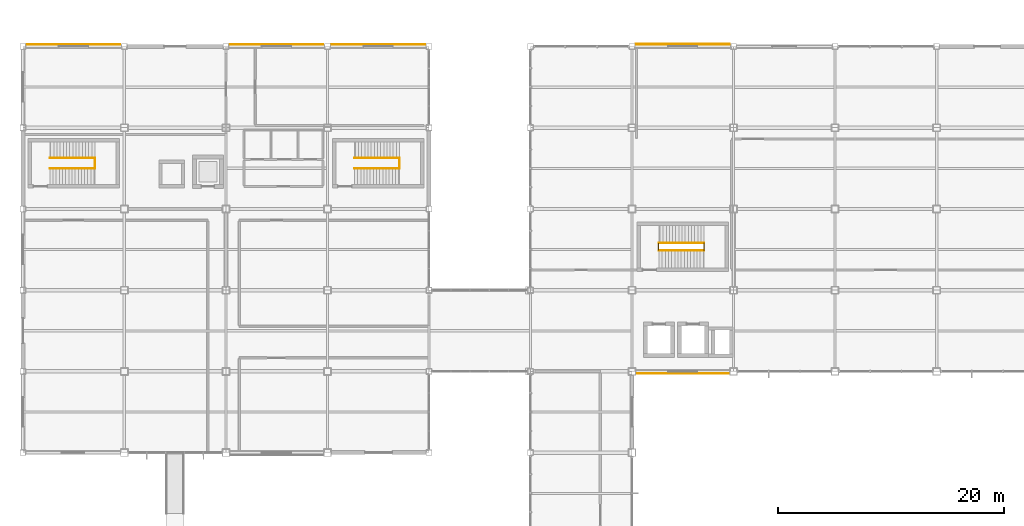
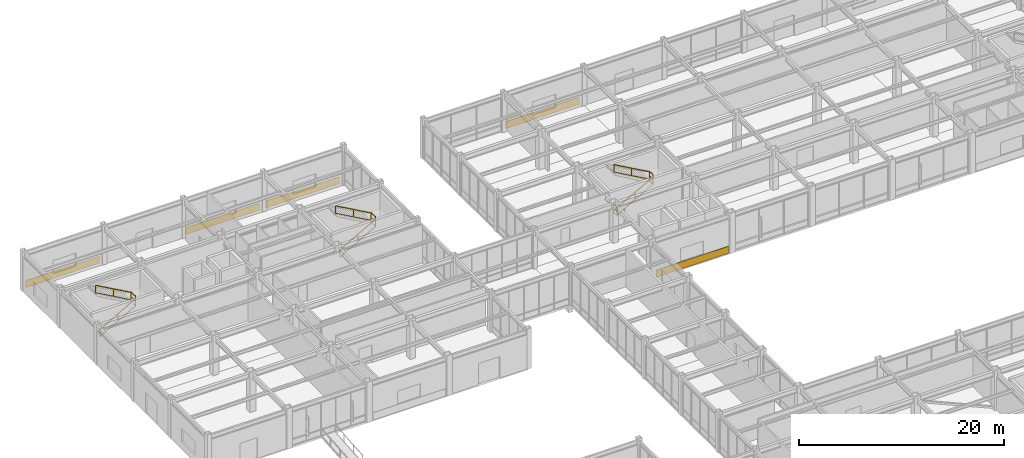
# One storey, part 108 of 112: 10 railings, 5 coverings.
"""IFC4 building model written with IfcOpenShell, lengths in metres."""

from ifc_helpers import new_model, si_unit, direction, frame, origin, origin_2d, place, context, subcontext, project, spatial, rectangle, extrude, material, layer, layer_set, type_object, element, save


model = new_model("IFC4")

# Units and contexts
model_context = context("Model", 3, precision=1e-05, world=origin(), true_north=direction((0.0, 1.0)))
body_context = subcontext(model_context, "Body", "Model", "MODEL_VIEW")
ifc_project = project(units=[si_unit("LENGTHUNIT", "METRE"), si_unit("AREAUNIT", "SQUARE_METRE"), si_unit("VOLUMEUNIT", "CUBIC_METRE"), si_unit("PLANEANGLEUNIT", "RADIAN"), si_unit("MASSUNIT", "GRAM", prefix="KILO")], contexts=[model_context])

# Site, building, storey
site_placement = place(None, origin())
site = spatial("IfcSite", under=ifc_project, at=site_placement, CompositionType="ELEMENT")
building_placement = place(site_placement, origin())
building = spatial("IfcBuilding", under=site, at=building_placement, Name="Kazanami Central Library", CompositionType="ELEMENT")
storey_placement = place(building_placement, origin())
storey = spatial("IfcBuildingStorey", under=building, at=storey_placement, Name="L01", CompositionType="ELEMENT", Elevation=0.0)

# Coverings
ifc_material_1 = material(Name="Honed Inada Granite", Category="masonry")
ifc_layer_1 = layer(ifc_material_1, 0.030029296875, Name="Honed Inada Granite")
ifc_layer_set_1 = layer_set([ifc_layer_1], Name="Honed Inada Granite")
covering_type_1 = type_object("IfcCoveringType", Name="COV-CLD-30", PredefinedType="CLADDING", material=ifc_layer_set_1)
for number, where, z_axis, x_axis, name in (
    (1, (4.5, 93.7900390625, 0.02490234375), (0.0, 0.0, 1.0), (-1.0, 0.0, 0.0), "Honed Inada Granite Plinth CLD-30 N-O-00"),
    (2, (22.5, 93.7900390625, 0.02490234375), (0.0, 0.0, 1.0), (-1.0, 0.0, 0.0), "Honed Inada Granite Plinth CLD-30 N-O-02"),
    (3, (31.5, 93.7900390625, 0.02490234375), (0.0, 0.0, 1.0), (-1.0, 0.0, 0.0), "Honed Inada Granite Plinth CLD-30 N-O-03"),
):
    element("IfcCovering", number, at=place(storey_placement, frame(where, z_axis=z_axis, x_axis=x_axis)), inside=storey, type_object=covering_type_1, Name=name, PredefinedType="CLADDING", context=body_context, shape_type="SweptSolid", body=[
        extrude(rectangle(XDim=8.300048828125, YDim=0.030029296875, at=origin_2d()), origin(), (0.0, 0.0, 1.0), 0.85009765625),
    ])
ifc_layer_2 = layer(ifc_material_1, 0.0400390625, Name="Honed Inada Granite")
ifc_layer_set_2 = layer_set([ifc_layer_2], Name="Honed Inada Granite")
covering_type_2 = type_object("IfcCoveringType", Name="COV-CLD-40", PredefinedType="CLADDING", material=ifc_layer_set_2)
covering_1_placement = place(storey_placement, frame((58.5, 64.60498046875, 0.02490234375), z_axis=(0.0, 0.0, 1.0), x_axis=(1.0, 0.0, 0.0)))
element("IfcCovering", 4, at=covering_1_placement, inside=storey, type_object=covering_type_2, Name="Honed Inada Granite Plinth CLD-40 S-K-06", PredefinedType="CLADDING", context=body_context, shape_type="SweptSolid", body=[
    extrude(rectangle(XDim=8.14990234375, YDim=0.0400390625, at=origin_2d()), origin(), (0.0, 0.0, 1.0), 0.85009765625),
])
ifc_layer_3 = layer(ifc_material_1, 0.050048828125, Name="Honed Inada Granite")
ifc_layer_set_3 = layer_set([ifc_layer_3], Name="Honed Inada Granite")
covering_type_3 = type_object("IfcCoveringType", Name="COV-CLD-50", PredefinedType="CLADDING", material=ifc_layer_set_3)
covering_2_placement = place(storey_placement, frame((58.5, 93.800048828125, 0.02490234375), z_axis=(0.0, 0.0, 1.0), x_axis=(-1.0, 0.0, 0.0)))
element("IfcCovering", 5, at=covering_2_placement, inside=storey, type_object=covering_type_3, Name="Honed Inada Granite Plinth CLD-50 N-O-06", PredefinedType="CLADDING", context=body_context, shape_type="SweptSolid", body=[
    extrude(rectangle(XDim=8.300048828125, YDim=0.050048828125, at=origin_2d()), origin(), (0.0, 0.0, 1.0), 0.85009765625),
])

# Railings
ifc_material_2 = material(Name="Stainless Steel SUS304", Category="steel")
railing_type_1 = type_object("IfcRailingType", Name="RAL-GR-S1", PredefinedType="GUARDRAIL", material=ifc_material_2)
railing_1_placement = place(storey_placement, frame((56.360107421875, 75.570068359375, 0.0)))
element("IfcRailing", 6, at=railing_1_placement, inside=storey, type_object=railing_type_1, Name="Stair Well Guard ST-03 L01", PredefinedType="GUARDRAIL", context=body_context, shape_type="SweptSolid", body=[
    extrude(rectangle(XDim=0.0439453125, YDim=0.0439453125, at=origin_2d()), frame((0.0, 0.02587890625, 1.1279296875), z_axis=(0.0, 1.0, 0.0), x_axis=(-1.0, 0.0, 0.0)), (0.0, 0.0, 1.0), 0.5078125),
    extrude(rectangle(XDim=0.02392578125, YDim=0.02392578125, at=origin_2d()), frame((0.0, 0.02587890625, 0.015869140625), z_axis=(0.0, 1.0, 0.0), x_axis=(-1.0, 0.0, 0.0)), (0.0, 0.0, 1.0), 0.5078125),
    extrude(rectangle(XDim=0.02392578125, YDim=0.02392578125, at=origin_2d()), frame((0.0, 0.02587890625, 0.574951171875), z_axis=(0.0, 1.0, 0.0), x_axis=(-1.0, 0.0, 0.0)), (0.0, 0.0, 1.0), 0.5078125),
    extrude(rectangle(XDim=0.035888671875, YDim=0.035888671875, at=origin_2d()), origin(), (0.0, 0.0, 1.0), 1.10205078125),
    extrude(rectangle(XDim=0.035888671875, YDim=0.035888671875, at=origin_2d()), frame((0.0, 0.559814453125, 0.0)), (0.0, 0.0, 1.0), 1.10205078125),
])
railing_2_placement = place(storey_placement, frame((60.387939453125, 75.52001953125, 2.39990234375)))
element("IfcRailing", 7, at=railing_2_placement, inside=storey, type_object=railing_type_1, Name="Half-Landing Well Guard ST-03 L01", PredefinedType="GUARDRAIL", context=body_context, shape_type="SweptSolid", body=[
    extrude(rectangle(XDim=0.0439453125, YDim=0.0439453125, at=origin_2d()), frame((0.0, 0.02587890625, 1.1279296875), z_axis=(0.0, 1.0, 0.0), x_axis=(-1.0, 0.0, 0.0)), (0.0, 0.0, 1.0), 0.60791015625),
    extrude(rectangle(XDim=0.02392578125, YDim=0.02392578125, at=origin_2d()), frame((0.0, 0.02587890625, 0.015869140625), z_axis=(0.0, 1.0, 0.0), x_axis=(-1.0, 0.0, 0.0)), (0.0, 0.0, 1.0), 0.60791015625),
    extrude(rectangle(XDim=0.02392578125, YDim=0.02392578125, at=origin_2d()), frame((0.0, 0.02587890625, 0.574951171875), z_axis=(0.0, 1.0, 0.0), x_axis=(-1.0, 0.0, 0.0)), (0.0, 0.0, 1.0), 0.60791015625),
    extrude(rectangle(XDim=0.035888671875, YDim=0.035888671875, at=origin_2d()), origin(), (0.0, 0.0, 1.0), 1.10205078125),
    extrude(rectangle(XDim=0.035888671875, YDim=0.035888671875, at=origin_2d()), frame((0.0, 0.659912109375, 0.0)), (0.0, 0.0, 1.0), 1.10205078125),
])
for number, where, name in (
    (8, (6.387939453125, 82.820068359375, 2.39990234375), "Half-Landing Well Guard ST-05 L01"),
    (9, (33.387939453125, 82.820068359375, 2.39990234375), "Half-Landing Well Guard ST-06 L01"),
):
    element("IfcRailing", number, at=place(storey_placement, frame(where)), inside=storey, type_object=railing_type_1, Name=name, PredefinedType="GUARDRAIL", context=body_context, shape_type="SweptSolid", body=[
        extrude(rectangle(XDim=0.0439453125, YDim=0.0439453125, at=origin_2d()), frame((0.0, 0.02587890625, 1.1279296875), z_axis=(0.0, 1.0, 0.0), x_axis=(-1.0, 0.0, 0.0)), (0.0, 0.0, 1.0), 0.807861328125),
        extrude(rectangle(XDim=0.02392578125, YDim=0.02392578125, at=origin_2d()), frame((0.0, 0.02587890625, 0.015869140625), z_axis=(0.0, 1.0, 0.0), x_axis=(-1.0, 0.0, 0.0)), (0.0, 0.0, 1.0), 0.807861328125),
        extrude(rectangle(XDim=0.02392578125, YDim=0.02392578125, at=origin_2d()), frame((0.0, 0.02587890625, 0.574951171875), z_axis=(0.0, 1.0, 0.0), x_axis=(-1.0, 0.0, 0.0)), (0.0, 0.0, 1.0), 0.807861328125),
        extrude(rectangle(XDim=0.035888671875, YDim=0.035888671875, at=origin_2d()), origin(), (0.0, 0.0, 1.0), 1.10205078125),
        extrude(rectangle(XDim=0.035888671875, YDim=0.035888671875, at=origin_2d()), frame((0.0, 0.85986328125, 0.0)), (0.0, 0.0, 1.0), 1.10205078125),
    ])
railing_type_2 = type_object("IfcRailingType", Name="RAL-HR-01", PredefinedType="HANDRAIL", material=ifc_material_2)
for number, where, name in (
    (10, (56.39404296875, 75.5, 0.159912109375), "Stair Handrail ST-03 Flight 1 (L01)"),
    (11, (2.39404296875, 82.800048828125, 0.159912109375), "Stair Handrail ST-05 Flight 1 (L01)"),
    (12, (29.39404296875, 82.800048828125, 0.159912109375), "Stair Handrail ST-06 Flight 1 (L01)"),
):
    element("IfcRailing", number, at=place(storey_placement, frame(where)), inside=storey, type_object=railing_type_2, Name=name, PredefinedType="HANDRAIL", context=body_context, shape_type="SweptSolid", body=[
        extrude(rectangle(XDim=0.0439453125, YDim=0.0439453125, at=origin_2d()), frame((0.022705078125, 0.0, 0.890625), z_axis=(0.872188536466, 0.0, 0.489169865033), x_axis=(0.0, 1.0, 0.0)), (0.0, 0.0, 1.0), 4.527099609375),
        extrude(rectangle(XDim=0.02392578125, YDim=0.02392578125, at=origin_2d()), frame((0.022705078125, 0.0, 0.028564453125), z_axis=(0.872188536466, 0.0, 0.489169865033), x_axis=(0.0, 1.0, 0.0)), (0.0, 0.0, 1.0), 4.527099609375),
        extrude(rectangle(XDim=0.035888671875, YDim=0.035888671875, at=origin_2d()), origin(), (0.0, 0.0, 1.0), 0.85205078125),
        extrude(rectangle(XDim=0.035888671875, YDim=0.035888671875, at=origin_2d()), frame((1.9970703125, 0.0, 1.1201171875)), (0.0, 0.0, 1.0), 0.85205078125),
        extrude(rectangle(XDim=0.035888671875, YDim=0.035888671875, at=origin_2d()), frame((3.993896484375, 0.0, 2.239990234375)), (0.0, 0.0, 1.0), 0.85205078125),
    ])
railing_type_3 = type_object("IfcRailingType", Name="RAL-HR-02", PredefinedType="HANDRAIL", material=ifc_material_2)
for number, where, name in (
    (13, (60.39404296875, 76.199951171875, 2.56005859375), "Stair Handrail ST-03 Flight 2 (L01)"),
    (14, (6.39404296875, 83.699951171875, 2.56005859375), "Stair Handrail ST-05 Flight 2 (L01)"),
    (15, (33.39404296875, 83.699951171875, 2.56005859375), "Stair Handrail ST-06 Flight 2 (L01)"),
):
    element("IfcRailing", number, at=place(storey_placement, frame(where)), inside=storey, type_object=railing_type_3, Name=name, PredefinedType="HANDRAIL", context=body_context, shape_type="SweptSolid", body=[
        extrude(rectangle(XDim=0.0439453125, YDim=0.0439453125, at=origin_2d()), frame((-0.022705078125, 0.0, 0.91064453125), z_axis=(-0.872201293295, 0.0, 0.489147118947), x_axis=(0.0, -1.0, 0.0)), (0.0, 0.0, 1.0), 4.52734375),
        extrude(rectangle(XDim=0.02392578125, YDim=0.02392578125, at=origin_2d()), frame((-0.022705078125, 0.0, 0.028564453125), z_axis=(-0.872201293295, 0.0, 0.489147118947), x_axis=(0.0, -1.0, 0.0)), (0.0, 0.0, 1.0), 4.52734375),
        extrude(rectangle(XDim=0.035888671875, YDim=0.035888671875, at=origin_2d()), origin(), (0.0, 0.0, 1.0), 0.8720703125),
        extrude(rectangle(XDim=0.035888671875, YDim=0.035888671875, at=origin_2d()), frame((-1.9970703125, 0.0, 1.1201171875)), (0.0, 0.0, 1.0), 0.8720703125),
        extrude(rectangle(XDim=0.035888671875, YDim=0.035888671875, at=origin_2d()), frame((-3.994140625, 0.0, 2.239990234375)), (0.0, 0.0, 1.0), 0.8720703125),
    ])

save(model, "model.ifc")
